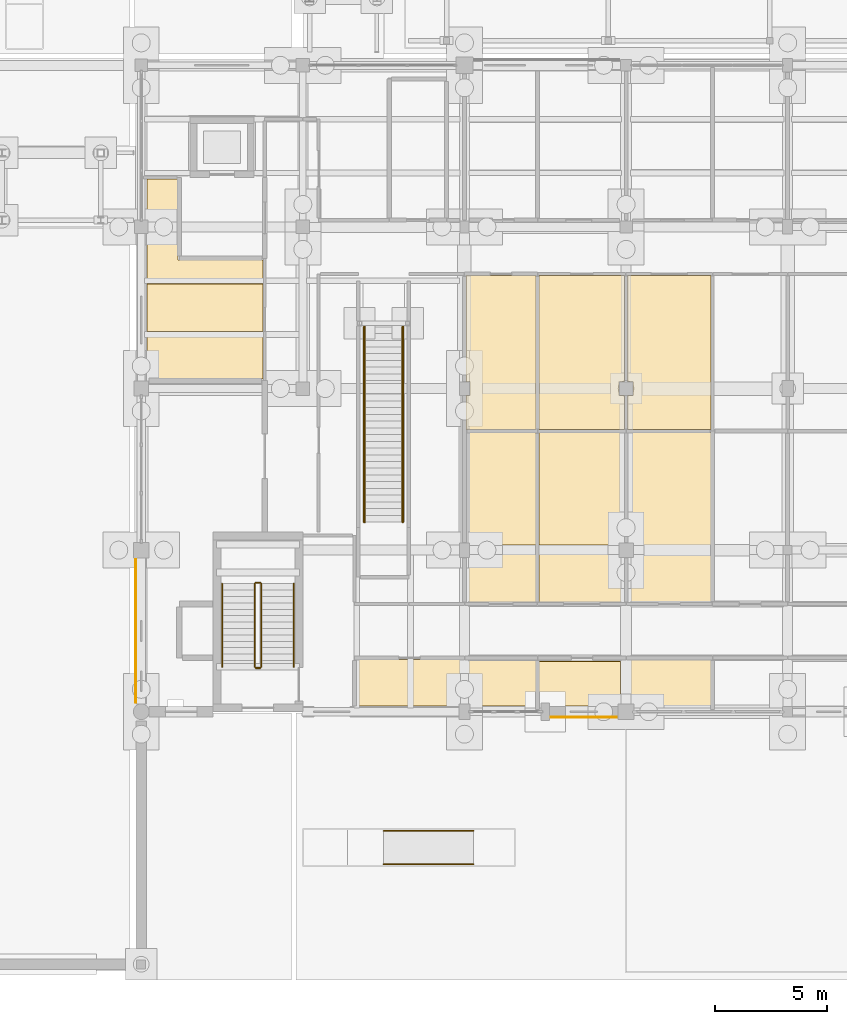
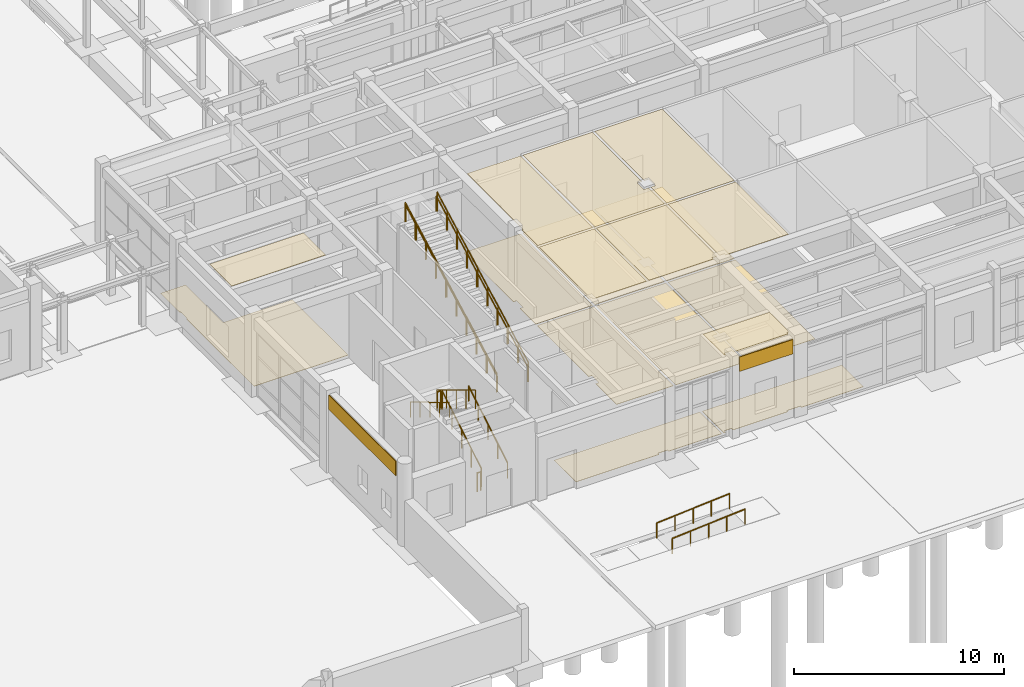
# One storey, part 127 of 143: 19 coverings, 12 railings.
"""IFC4 building model written with IfcOpenShell, lengths in metres."""

from ifc_helpers import new_model, si_unit, direction, frame, origin, origin_2d, place, context, subcontext, project, spatial, polyline, rectangle, circle, outline, extrude, material, layer, layer_set, type_object, element, save


model = new_model("IFC4")

# Units and contexts
model_context = context("Model", 3, precision=1e-05, world=origin(), true_north=direction((0.0, 1.0)))
body_context = subcontext(model_context, "Body", "Model", "MODEL_VIEW")
ifc_project = project(units=[si_unit("LENGTHUNIT", "METRE"), si_unit("AREAUNIT", "SQUARE_METRE"), si_unit("VOLUMEUNIT", "CUBIC_METRE"), si_unit("PLANEANGLEUNIT", "RADIAN"), si_unit("MASSUNIT", "GRAM", prefix="KILO")], contexts=[model_context])

# Site, building, storey
site_placement = place(None, origin())
site = spatial("IfcSite", under=ifc_project, at=site_placement, CompositionType="ELEMENT")
building_placement = place(site_placement, origin())
building = spatial("IfcBuilding", under=site, at=building_placement, Name="Steenspoor Specialist Clinic", CompositionType="ELEMENT")
storey_placement = place(building_placement, origin())
storey = spatial("IfcBuildingStorey", under=building, at=storey_placement, Name="L00", CompositionType="ELEMENT", Elevation=0.0)

# Coverings
ifc_material_1 = material(Name="Washable acoustic mineral ceiling board", Category="gypsum")
ifc_layer_1 = layer(ifc_material_1, 0.02490234375)
ifc_layer_set_1 = layer_set([ifc_layer_1], Name="Washable acoustic mineral ceiling board")
covering_type_1 = type_object("IfcCoveringType", Name="COV-CEIL-ACOUSTIC", PredefinedType="CEILING", material=ifc_layer_set_1)
covering_1_placement = place(storey_placement, frame((0.0, 0.0, 4.52490234375)))
element("IfcCovering", 1, at=covering_1_placement, inside=storey, type_object=covering_type_1, Name="Acoustic Clinical Ceiling 001", PredefinedType="CEILING", context=body_context, shape_type="SweptSolid", body=[
    extrude(outline(polyline([(63.405029296875, 13.31005859375), (63.405029296875, 13.445068359375), (62.9951171875, 13.445068359375), (62.9951171875, 13.31005859375), (62.9150390625, 13.31005859375), (62.9150390625, 15.300048828125), (66.554931640625, 15.300048828125), (66.554931640625, 13.4150390625), (66.43505859375, 13.4150390625), (66.43505859375, 13.31005859375), (63.405029296875, 13.31005859375)])), origin(), (0.0, 0.0, 1.0), 0.025146484375),
])
covering_2_placement = place(storey_placement, frame((0.0, 0.0, 4.52490234375)))
element("IfcCovering", 2, at=covering_2_placement, inside=storey, type_object=covering_type_1, Name="Acoustic Clinical Ceiling 005", PredefinedType="CEILING", context=body_context, shape_type="SweptSolid", body=[
    extrude(outline(polyline([(62.784912109375, 20.469970703125), (59.840087890625, 20.469970703125), (59.840087890625, 20.590087890625), (59.77001953125, 20.590087890625), (59.77001953125, 25.485107421875), (62.784912109375, 25.485107421875), (62.784912109375, 20.469970703125)])), origin(), (0.0, 0.0, 1.0), 0.025146484375),
])
covering_3_placement = place(storey_placement, frame((0.0, 0.0, 4.52490234375)))
element("IfcCovering", 3, at=covering_3_placement, inside=storey, type_object=covering_type_1, Name="Acoustic Clinical Ceiling 006", PredefinedType="CEILING", context=body_context, shape_type="SweptSolid", body=[
    extrude(outline(polyline([(66.735107421875, 20.590087890625), (66.4599609375, 20.590087890625), (66.4599609375, 20.469970703125), (62.9150390625, 20.469970703125), (62.9150390625, 25.485107421875), (66.735107421875, 25.485107421875), (66.735107421875, 20.590087890625)])), origin(), (0.0, 0.0, 1.0), 0.025146484375),
])
covering_4_placement = place(storey_placement, frame((0.0, 0.0, 4.52490234375)))
element("IfcCovering", 4, at=covering_4_placement, inside=storey, type_object=covering_type_1, Name="Acoustic Clinical Ceiling 007", PredefinedType="CEILING", context=body_context, shape_type="SweptSolid", body=[
    extrude(outline(polyline([(70.5849609375, 20.469970703125), (67.139892578125, 20.469970703125), (67.139892578125, 20.590087890625), (66.864990234375, 20.590087890625), (66.864990234375, 25.485107421875), (70.5849609375, 25.485107421875), (70.5849609375, 20.469970703125)])), origin(), (0.0, 0.0, 1.0), 0.025146484375),
])
covering_5_placement = place(storey_placement, frame((0.0, 0.0, 4.52490234375)))
element("IfcCovering", 5, at=covering_5_placement, inside=storey, type_object=covering_type_1, Name="Acoustic Clinical Ceiling 019", PredefinedType="CEILING", context=body_context, shape_type="SweptSolid", body=[
    extrude(outline(polyline([(62.784912109375, 25.614990234375), (59.77001953125, 25.614990234375), (59.77001953125, 27.135009765625), (59.840087890625, 27.135009765625), (59.840087890625, 27.7451171875), (59.844970703125, 27.7451171875), (59.844970703125, 32.485107421875), (62.784912109375, 32.485107421875), (62.784912109375, 25.614990234375)])), origin(), (0.0, 0.0, 1.0), 0.025146484375),
])
covering_6_placement = place(storey_placement, frame((0.0, 0.0, 4.52490234375)))
element("IfcCovering", 6, at=covering_6_placement, inside=storey, type_object=covering_type_1, Name="Acoustic Clinical Ceiling 020", PredefinedType="CEILING", context=body_context, shape_type="SweptSolid", body=[
    extrude(outline(polyline([(66.735107421875, 27.764892578125), (66.485107421875, 27.764892578125), (66.485107421875, 27.135009765625), (66.735107421875, 27.135009765625), (66.735107421875, 25.614990234375), (62.9150390625, 25.614990234375), (62.9150390625, 32.485107421875), (66.735107421875, 32.485107421875), (66.735107421875, 27.764892578125)])), origin(), (0.0, 0.0, 1.0), 0.025146484375),
])
covering_7_placement = place(storey_placement, frame((0.0, 0.0, 4.52490234375)))
element("IfcCovering", 7, at=covering_7_placement, inside=storey, type_object=covering_type_1, Name="Acoustic Clinical Ceiling 021", PredefinedType="CEILING", context=body_context, shape_type="SweptSolid", body=[
    extrude(outline(polyline([(70.5849609375, 25.614990234375), (66.864990234375, 25.614990234375), (66.864990234375, 27.135009765625), (67.114990234375, 27.135009765625), (67.114990234375, 27.764892578125), (66.864990234375, 27.764892578125), (66.864990234375, 32.485107421875), (70.5849609375, 32.485107421875), (70.5849609375, 25.614990234375)])), origin(), (0.0, 0.0, 1.0), 0.025146484375),
])
covering_8_placement = place(storey_placement, frame((0.0, 0.0, 4.52490234375)))
element("IfcCovering", 8, at=covering_8_placement, inside=storey, type_object=covering_type_1, Name="Acoustic Clinical Ceiling 025", PredefinedType="CEILING", context=body_context, shape_type="SweptSolid", body=[
    extrude(outline(polyline([(45.4599609375, 32.110107421875), (50.635009765625, 32.110107421875), (50.635009765625, 30.0), (45.4599609375, 30.0), (45.4599609375, 32.110107421875)])), origin(), (0.0, 0.0, 1.0), 0.025146484375),
])
ifc_material_2 = material(Name="Glazed ceramic relief spandrel cladding", Category="masonry")
ifc_layer_2 = layer(ifc_material_2, 0.034912109375)
ifc_layer_set_2 = layer_set([ifc_layer_2], Name="Glazed ceramic relief spandrel cladding")
covering_type_2 = type_object("IfcCoveringType", Name="COV-CLAD-CERAMIC", PredefinedType="CLADDING", material=ifc_layer_set_2)
covering_9_placement = place(storey_placement, frame((64.919921875, 12.800048828125, 3.71484375), z_axis=(0.0, 0.0, 1.0), x_axis=(-1.0, 0.0, 0.0)))
element("IfcCovering", 9, at=covering_9_placement, inside=storey, type_object=covering_type_2, Name="Spandrel Cladding 2", PredefinedType="CLADDING", context=body_context, shape_type="SweptSolid", body=[
    extrude(rectangle(XDim=2.93994140625, YDim=0.0400390625, at=origin_2d()), origin(), (0.0, 0.0, 1.0), 0.840087890625),
])
covering_10_placement = place(storey_placement, frame((44.949951171875, 16.64990234375, 3.71484375), z_axis=(0.0, 0.0, 1.0), x_axis=(0.0, 1.0, 0.0)))
element("IfcCovering", 10, at=covering_10_placement, inside=storey, type_object=covering_type_2, Name="Spandrel Cladding 3", PredefinedType="CLADDING", context=body_context, shape_type="SweptSolid", body=[
    extrude(rectangle(XDim=6.3798828125, YDim=0.0400390625, at=origin_2d()), origin(), (0.0, 0.0, 1.0), 0.840087890625),
])
ifc_material_3 = material(Name="Seamless clinical vinyl and terrazzo flooring", Category="plastic")
ifc_layer_3 = layer(ifc_material_3, 0.02001953125)
ifc_layer_set_3 = layer_set([ifc_layer_3], Name="Seamless clinical vinyl and terrazzo flooring")
covering_type_3 = type_object("IfcCoveringType", Name="COV-FLOOR-VINYL", PredefinedType="FLOORING", material=ifc_layer_set_3)
covering_11_placement = place(storey_placement, origin())
element("IfcCovering", 11, at=covering_11_placement, inside=storey, type_object=covering_type_3, Name="Clinical Vinyl Flooring 1", PredefinedType="FLOORING", context=body_context, shape_type="SweptSolid", body=[
    extrude(outline(polyline([(62.784912109375, 13.31005859375), (59.864990234375, 13.31005859375), (59.864990234375, 13.4150390625), (59.3349609375, 13.4150390625), (59.3349609375, 13.31005859375), (54.764892578125, 13.31005859375), (54.764892578125, 15.385009765625), (62.784912109375, 15.385009765625), (62.784912109375, 13.31005859375)])), origin(), (0.0, 0.0, 1.0), 0.02001953125),
])
covering_12_placement = place(storey_placement, origin())
element("IfcCovering", 12, at=covering_12_placement, inside=storey, type_object=covering_type_3, Name="Clinical Vinyl Flooring 2", PredefinedType="FLOORING", context=body_context, shape_type="SweptSolid", body=[
    extrude(outline(polyline([(70.5849609375, 15.385009765625), (70.5849609375, 13.31005859375), (67.1650390625, 13.31005859375), (67.1650390625, 13.4150390625), (66.43505859375, 13.4150390625), (66.43505859375, 13.31005859375), (63.405029296875, 13.31005859375), (63.405029296875, 13.445068359375), (62.9951171875, 13.445068359375), (62.9951171875, 13.31005859375), (62.9150390625, 13.31005859375), (62.9150390625, 15.385009765625), (70.5849609375, 15.385009765625)])), origin(), (0.0, 0.0, 1.0), 0.02001953125),
])
covering_13_placement = place(storey_placement, origin())
element("IfcCovering", 13, at=covering_13_placement, inside=storey, type_object=covering_type_3, Name="Clinical Vinyl Flooring 6", PredefinedType="FLOORING", context=body_context, shape_type="SweptSolid", body=[
    extrude(outline(polyline([(62.784912109375, 25.485107421875), (62.784912109375, 17.9150390625), (59.6650390625, 17.9150390625), (59.6650390625, 19.909912109375), (59.840087890625, 19.909912109375), (59.840087890625, 20.590087890625), (59.6650390625, 20.590087890625), (59.6650390625, 25.485107421875), (62.784912109375, 25.485107421875)])), origin(), (0.0, 0.0, 1.0), 0.02001953125),
])
covering_14_placement = place(storey_placement, origin())
element("IfcCovering", 14, at=covering_14_placement, inside=storey, type_object=covering_type_3, Name="Clinical Vinyl Flooring 7", PredefinedType="FLOORING", context=body_context, shape_type="SweptSolid", body=[
    extrude(outline(polyline([(66.735107421875, 25.485107421875), (66.735107421875, 20.590087890625), (66.4599609375, 20.590087890625), (66.4599609375, 19.909912109375), (66.735107421875, 19.909912109375), (66.735107421875, 17.9150390625), (62.9150390625, 17.9150390625), (62.9150390625, 25.485107421875), (66.735107421875, 25.485107421875)])), origin(), (0.0, 0.0, 1.0), 0.02001953125),
])
covering_15_placement = place(storey_placement, origin())
element("IfcCovering", 15, at=covering_15_placement, inside=storey, type_object=covering_type_3, Name="Clinical Vinyl Flooring 8", PredefinedType="FLOORING", context=body_context, shape_type="SweptSolid", body=[
    extrude(outline(polyline([(70.5849609375, 25.485107421875), (70.5849609375, 17.9150390625), (66.864990234375, 17.9150390625), (66.864990234375, 19.909912109375), (67.139892578125, 19.909912109375), (67.139892578125, 20.590087890625), (66.864990234375, 20.590087890625), (66.864990234375, 25.485107421875), (70.5849609375, 25.485107421875)])), origin(), (0.0, 0.0, 1.0), 0.02001953125),
])
covering_16_placement = place(storey_placement, origin())
element("IfcCovering", 16, at=covering_16_placement, inside=storey, type_object=covering_type_3, Name="Clinical Vinyl Flooring 23", PredefinedType="FLOORING", context=body_context, shape_type="SweptSolid", body=[
    extrude(outline(polyline([(62.784912109375, 32.485107421875), (62.784912109375, 25.614990234375), (59.6650390625, 25.614990234375), (59.6650390625, 27.135009765625), (59.840087890625, 27.135009765625), (59.840087890625, 27.764892578125), (59.6650390625, 27.764892578125), (59.6650390625, 32.485107421875), (62.784912109375, 32.485107421875)])), origin(), (0.0, 0.0, 1.0), 0.02001953125),
])
covering_17_placement = place(storey_placement, origin())
element("IfcCovering", 17, at=covering_17_placement, inside=storey, type_object=covering_type_3, Name="Clinical Vinyl Flooring 24", PredefinedType="FLOORING", context=body_context, shape_type="SweptSolid", body=[
    extrude(outline(polyline([(66.735107421875, 32.485107421875), (66.735107421875, 27.764892578125), (66.485107421875, 27.764892578125), (66.485107421875, 27.135009765625), (66.735107421875, 27.135009765625), (66.735107421875, 25.614990234375), (62.9150390625, 25.614990234375), (62.9150390625, 32.485107421875), (66.735107421875, 32.485107421875)])), origin(), (0.0, 0.0, 1.0), 0.02001953125),
])
covering_18_placement = place(storey_placement, origin())
element("IfcCovering", 18, at=covering_18_placement, inside=storey, type_object=covering_type_3, Name="Clinical Vinyl Flooring 25", PredefinedType="FLOORING", context=body_context, shape_type="SweptSolid", body=[
    extrude(outline(polyline([(70.5849609375, 32.485107421875), (70.5849609375, 25.614990234375), (66.864990234375, 25.614990234375), (66.864990234375, 27.135009765625), (67.114990234375, 27.135009765625), (67.114990234375, 27.764892578125), (66.864990234375, 27.764892578125), (66.864990234375, 32.485107421875), (70.5849609375, 32.485107421875)])), origin(), (0.0, 0.0, 1.0), 0.02001953125),
])
covering_19_placement = place(storey_placement, origin())
element("IfcCovering", 19, at=covering_19_placement, inside=storey, type_object=covering_type_3, Name="Clinical Vinyl Flooring 29", PredefinedType="FLOORING", context=body_context, shape_type="SweptSolid", body=[
    extrude(outline(polyline([(45.4599609375, 27.864990234375), (45.4599609375, 34.3349609375), (45.514892578125, 34.3349609375), (45.514892578125, 34.965087890625), (45.4599609375, 34.965087890625), (45.4599609375, 36.784912109375), (46.8349609375, 36.784912109375), (46.8349609375, 33.18505859375), (50.635009765625, 33.18505859375), (50.635009765625, 27.864990234375), (45.4599609375, 27.864990234375)])), origin(), (0.0, 0.0, 1.0), 0.02001953125),
])

# Railings
ifc_material_4 = material(Name="Painted architectural steel balustrade", Category="steel")
railing_type_1 = type_object("IfcRailingType", Name="RAIL-GUARD-1100", PredefinedType="GUARDRAIL", material=ifc_material_4)
railing_1_placement = place(storey_placement, frame((50.550048828125, 15.050048828125, 0.17138671875)))
element("IfcRailing", 20, at=railing_1_placement, inside=storey, type_object=railing_type_1, Name="L00 ST-V1A stair guard 1", PredefinedType="GUARDRAIL", context=body_context, shape_type="SweptSolid", body=[
    extrude(circle(Radius=0.02392578125, at=origin_2d()), frame((0.0, 0.0, 1.076171875), z_axis=(0.0, 0.856919398105, 0.515450429384), x_axis=(-1.0, 0.0, 0.0)), (0.0, 0.0, 1.0), 4.323486328125),
    extrude(circle(Radius=0.02099609375, at=origin_2d()), origin(), (0.0, 0.0, 1.0), 1.052001953125),
    extrude(circle(Radius=0.02099609375, at=origin_2d()), frame((0.0, 0.92626953125, 0.55712890625)), (0.0, 0.0, 1.0), 1.052001953125),
    extrude(circle(Radius=0.02099609375, at=origin_2d()), frame((0.0, 1.8525390625, 1.1142578125)), (0.0, 0.0, 1.0), 1.052001953125),
    extrude(circle(Radius=0.02099609375, at=origin_2d()), frame((0.0, 2.778564453125, 1.67138671875)), (0.0, 0.0, 1.0), 1.052001953125),
    extrude(circle(Radius=0.02099609375, at=origin_2d()), frame((0.0, 3.704833984375, 2.228515625)), (0.0, 0.0, 1.0), 1.052001953125),
])
railing_2_placement = place(storey_placement, frame((50.5, 18.804931640625, 2.39990234375)))
element("IfcRailing", 21, at=railing_2_placement, inside=storey, type_object=railing_type_1, Name="L00 ST-V1A stair guard 2", PredefinedType="GUARDRAIL", context=body_context, shape_type="SweptSolid", body=[
    extrude(circle(Radius=0.02392578125, at=origin_2d()), frame((0.0, 0.0, 1.076171875), z_axis=(-1.0, 0.0, 0.0), x_axis=(0.0, -1.0, 0.0)), (0.0, 0.0, 1.0), 0.199951171875),
    extrude(circle(Radius=0.02099609375, at=origin_2d()), origin(), (0.0, 0.0, 1.0), 1.052001953125),
    extrude(circle(Radius=0.02099609375, at=origin_2d()), frame((-0.199951171875, 0.0, 0.0)), (0.0, 0.0, 1.0), 1.052001953125),
])
railing_3_placement = place(storey_placement, frame((50.25, 18.7548828125, 2.571533203125)))
element("IfcRailing", 22, at=railing_3_placement, inside=storey, type_object=railing_type_1, Name="L00 ST-V1A stair guard 3", PredefinedType="GUARDRAIL", context=body_context, shape_type="SweptSolid", body=[
    extrude(circle(Radius=0.02392578125, at=origin_2d()), frame((0.0, 0.0, 1.076171875), z_axis=(0.0, -0.856919398105, 0.515450429384), x_axis=(1.0, 0.0, 0.0)), (0.0, 0.0, 1.0), 4.323486328125),
    extrude(circle(Radius=0.02099609375, at=origin_2d()), origin(), (0.0, 0.0, 1.0), 1.052001953125),
    extrude(circle(Radius=0.02099609375, at=origin_2d()), frame((0.0, -0.92626953125, 0.55712890625)), (0.0, 0.0, 1.0), 1.052001953125),
    extrude(circle(Radius=0.02099609375, at=origin_2d()), frame((0.0, -1.8525390625, 1.1142578125)), (0.0, 0.0, 1.0), 1.052001953125),
    extrude(circle(Radius=0.02099609375, at=origin_2d()), frame((0.0, -2.778564453125, 1.67138671875)), (0.0, 0.0, 1.0), 1.052001953125),
    extrude(circle(Radius=0.02099609375, at=origin_2d()), frame((0.0, -3.704833984375, 2.228515625)), (0.0, 0.0, 1.0), 1.052001953125),
])
railing_4_placement = place(storey_placement, frame((50.5, 15.0, 0.0)))
element("IfcRailing", 23, at=railing_4_placement, inside=storey, type_object=railing_type_1, Name="L00 ST-V1A stair guard 4", PredefinedType="GUARDRAIL", context=body_context, shape_type="SweptSolid", body=[
    extrude(circle(Radius=0.02392578125, at=origin_2d()), frame((0.0, 0.0, 1.076171875), z_axis=(-1.0, 0.0, 0.0), x_axis=(0.0, -1.0, 0.0)), (0.0, 0.0, 1.0), 0.199951171875),
    extrude(circle(Radius=0.02099609375, at=origin_2d()), origin(), (0.0, 0.0, 1.0), 1.052001953125),
    extrude(circle(Radius=0.02099609375, at=origin_2d()), frame((-0.199951171875, 0.0, 0.0)), (0.0, 0.0, 1.0), 1.052001953125),
])
for number, where, name in (
    (24, (55.125, 21.5, 0.159912109375), "ST-F01 Flight Guard L"),
    (25, (56.875, 21.5, 0.159912109375), "ST-F01 Flight Guard R"),
):
    element("IfcRailing", number, at=place(storey_placement, frame(where)), inside=storey, type_object=railing_type_1, Name=name, PredefinedType="GUARDRAIL", context=body_context, shape_type="SweptSolid", body=[
        extrude(circle(Radius=0.02392578125, at=origin_2d()), frame((0.0, 0.0, 1.09619140625), z_axis=(0.0, 0.882346086921, 0.470601086797), x_axis=(-1.0, 0.0, 0.0)), (0.0, 0.0, 1.0), 9.860107421875),
        extrude(circle(Radius=0.02099609375, at=origin_2d()), origin(), (0.0, 0.0, 1.0), 1.072021484375),
        extrude(circle(Radius=0.02099609375, at=origin_2d()), frame((0.0, 0.966552734375, 0.515625)), (0.0, 0.0, 1.0), 1.072021484375),
        extrude(circle(Radius=0.02099609375, at=origin_2d()), frame((0.0, 1.933349609375, 1.03125)), (0.0, 0.0, 1.0), 1.072021484375),
        extrude(circle(Radius=0.02099609375, at=origin_2d()), frame((0.0, 2.89990234375, 1.546630859375)), (0.0, 0.0, 1.0), 1.072021484375),
        extrude(circle(Radius=0.02099609375, at=origin_2d()), frame((0.0, 3.86669921875, 2.062255859375)), (0.0, 0.0, 1.0), 1.072021484375),
        extrude(circle(Radius=0.02099609375, at=origin_2d()), frame((0.0, 4.833251953125, 2.577880859375)), (0.0, 0.0, 1.0), 1.072021484375),
        extrude(circle(Radius=0.02099609375, at=origin_2d()), frame((0.0, 5.800048828125, 3.093505859375)), (0.0, 0.0, 1.0), 1.072021484375),
        extrude(circle(Radius=0.02099609375, at=origin_2d()), frame((0.0, 6.7666015625, 3.60888671875)), (0.0, 0.0, 1.0), 1.072021484375),
        extrude(circle(Radius=0.02099609375, at=origin_2d()), frame((0.0, 7.7333984375, 4.12451171875)), (0.0, 0.0, 1.0), 1.072021484375),
        extrude(circle(Radius=0.02099609375, at=origin_2d()), frame((0.0, 8.699951171875, 4.64013671875)), (0.0, 0.0, 1.0), 1.072021484375),
    ])
ifc_material_5 = material(Name="Brushed stainless steel clinical handrail", Category="steel")
railing_type_2 = type_object("IfcRailingType", Name="RAIL-HAND-900", PredefinedType="HANDRAIL", material=ifc_material_5)
railing_5_placement = place(storey_placement, frame((52.0, 15.050048828125, 0.17138671875)))
element("IfcRailing", 26, at=railing_5_placement, inside=storey, type_object=railing_type_2, Name="L00 ST-V1A stair handrail 1", PredefinedType="HANDRAIL", context=body_context, shape_type="SweptSolid", body=[
    extrude(circle(Radius=0.02392578125, at=origin_2d()), frame((0.0, 0.0, 0.8759765625), z_axis=(0.0, 0.856919398105, 0.515450429384), x_axis=(-1.0, 0.0, 0.0)), (0.0, 0.0, 1.0), 4.323486328125),
    extrude(circle(Radius=0.02099609375, at=origin_2d()), origin(), (0.0, 0.0, 1.0), 0.851806640625),
    extrude(circle(Radius=0.02099609375, at=origin_2d()), frame((0.0, 0.92626953125, 0.55712890625)), (0.0, 0.0, 1.0), 0.851806640625),
    extrude(circle(Radius=0.02099609375, at=origin_2d()), frame((0.0, 1.8525390625, 1.1142578125)), (0.0, 0.0, 1.0), 0.851806640625),
    extrude(circle(Radius=0.02099609375, at=origin_2d()), frame((0.0, 2.778564453125, 1.67138671875)), (0.0, 0.0, 1.0), 0.851806640625),
    extrude(circle(Radius=0.02099609375, at=origin_2d()), frame((0.0, 3.704833984375, 2.228515625)), (0.0, 0.0, 1.0), 0.851806640625),
])
railing_6_placement = place(storey_placement, frame((48.800048828125, 18.7548828125, 2.571533203125)))
element("IfcRailing", 27, at=railing_6_placement, inside=storey, type_object=railing_type_2, Name="L00 ST-V1A stair handrail 2", PredefinedType="HANDRAIL", context=body_context, shape_type="SweptSolid", body=[
    extrude(circle(Radius=0.02392578125, at=origin_2d()), frame((0.0, 0.0, 0.8759765625), z_axis=(0.0, -0.856919398105, 0.515450429384), x_axis=(1.0, 0.0, 0.0)), (0.0, 0.0, 1.0), 4.323486328125),
    extrude(circle(Radius=0.02099609375, at=origin_2d()), origin(), (0.0, 0.0, 1.0), 0.851806640625),
    extrude(circle(Radius=0.02099609375, at=origin_2d()), frame((0.0, -0.92626953125, 0.55712890625)), (0.0, 0.0, 1.0), 0.851806640625),
    extrude(circle(Radius=0.02099609375, at=origin_2d()), frame((0.0, -1.8525390625, 1.1142578125)), (0.0, 0.0, 1.0), 0.851806640625),
    extrude(circle(Radius=0.02099609375, at=origin_2d()), frame((0.0, -2.778564453125, 1.67138671875)), (0.0, 0.0, 1.0), 0.851806640625),
    extrude(circle(Radius=0.02099609375, at=origin_2d()), frame((0.0, -3.704833984375, 2.228515625)), (0.0, 0.0, 1.0), 0.851806640625),
])
for number, where, name in (
    (28, (55.1650390625, 21.5, 0.159912109375), "ST-F01 Handrail L"),
    (29, (56.8349609375, 21.5, 0.159912109375), "ST-F01 Handrail R"),
):
    element("IfcRailing", number, at=place(storey_placement, frame(where)), inside=storey, type_object=railing_type_2, Name=name, PredefinedType="HANDRAIL", context=body_context, shape_type="SweptSolid", body=[
        extrude(circle(Radius=0.02392578125, at=origin_2d()), frame((0.0, 0.0, 0.8759765625), z_axis=(0.0, 0.882346086921, 0.470601086797), x_axis=(-1.0, 0.0, 0.0)), (0.0, 0.0, 1.0), 9.860107421875),
        extrude(circle(Radius=0.02099609375, at=origin_2d()), origin(), (0.0, 0.0, 1.0), 0.851806640625),
        extrude(circle(Radius=0.02099609375, at=origin_2d()), frame((0.0, 0.966552734375, 0.515625)), (0.0, 0.0, 1.0), 0.851806640625),
        extrude(circle(Radius=0.02099609375, at=origin_2d()), frame((0.0, 1.933349609375, 1.03125)), (0.0, 0.0, 1.0), 0.851806640625),
        extrude(circle(Radius=0.02099609375, at=origin_2d()), frame((0.0, 2.89990234375, 1.546630859375)), (0.0, 0.0, 1.0), 0.851806640625),
        extrude(circle(Radius=0.02099609375, at=origin_2d()), frame((0.0, 3.86669921875, 2.062255859375)), (0.0, 0.0, 1.0), 0.851806640625),
        extrude(circle(Radius=0.02099609375, at=origin_2d()), frame((0.0, 4.833251953125, 2.577880859375)), (0.0, 0.0, 1.0), 0.851806640625),
        extrude(circle(Radius=0.02099609375, at=origin_2d()), frame((0.0, 5.800048828125, 3.093505859375)), (0.0, 0.0, 1.0), 0.851806640625),
        extrude(circle(Radius=0.02099609375, at=origin_2d()), frame((0.0, 6.7666015625, 3.60888671875)), (0.0, 0.0, 1.0), 0.851806640625),
        extrude(circle(Radius=0.02099609375, at=origin_2d()), frame((0.0, 7.7333984375, 4.12451171875)), (0.0, 0.0, 1.0), 0.851806640625),
        extrude(circle(Radius=0.02099609375, at=origin_2d()), frame((0.0, 8.699951171875, 4.64013671875)), (0.0, 0.0, 1.0), 0.851806640625),
    ])
for number, where, name in (
    (30, (56.0, 6.260009765625, -0.300048828125), "Ramp Handrail RMP-01 L"),
    (31, (56.0, 7.739990234375, -0.300048828125), "Ramp Handrail RMP-01 R"),
):
    element("IfcRailing", number, at=place(storey_placement, frame(where)), inside=storey, type_object=railing_type_2, Name=name, PredefinedType="HANDRAIL", context=body_context, shape_type="SweptSolid", body=[
        extrude(circle(Radius=0.02392578125, at=origin_2d()), frame((0.0, 0.0, 0.8759765625), z_axis=(0.997198401959, 0.0, 0.074802052979), x_axis=(0.0, 1.0, 0.0)), (0.0, 0.0, 1.0), 4.01123046875),
        extrude(circle(Radius=0.02099609375, at=origin_2d()), origin(), (0.0, 0.0, 1.0), 0.851806640625),
        extrude(circle(Radius=0.02099609375, at=origin_2d()), frame((1.0, 0.0, 0.074951171875)), (0.0, 0.0, 1.0), 0.851806640625),
        extrude(circle(Radius=0.02099609375, at=origin_2d()), frame((2.0, 0.0, 0.14990234375)), (0.0, 0.0, 1.0), 0.851806640625),
        extrude(circle(Radius=0.02099609375, at=origin_2d()), frame((3.0, 0.0, 0.22509765625)), (0.0, 0.0, 1.0), 0.851806640625),
        extrude(circle(Radius=0.02099609375, at=origin_2d()), frame((4.0, 0.0, 0.300048828125)), (0.0, 0.0, 1.0), 0.851806640625),
    ])

save(model, "model.ifc")
